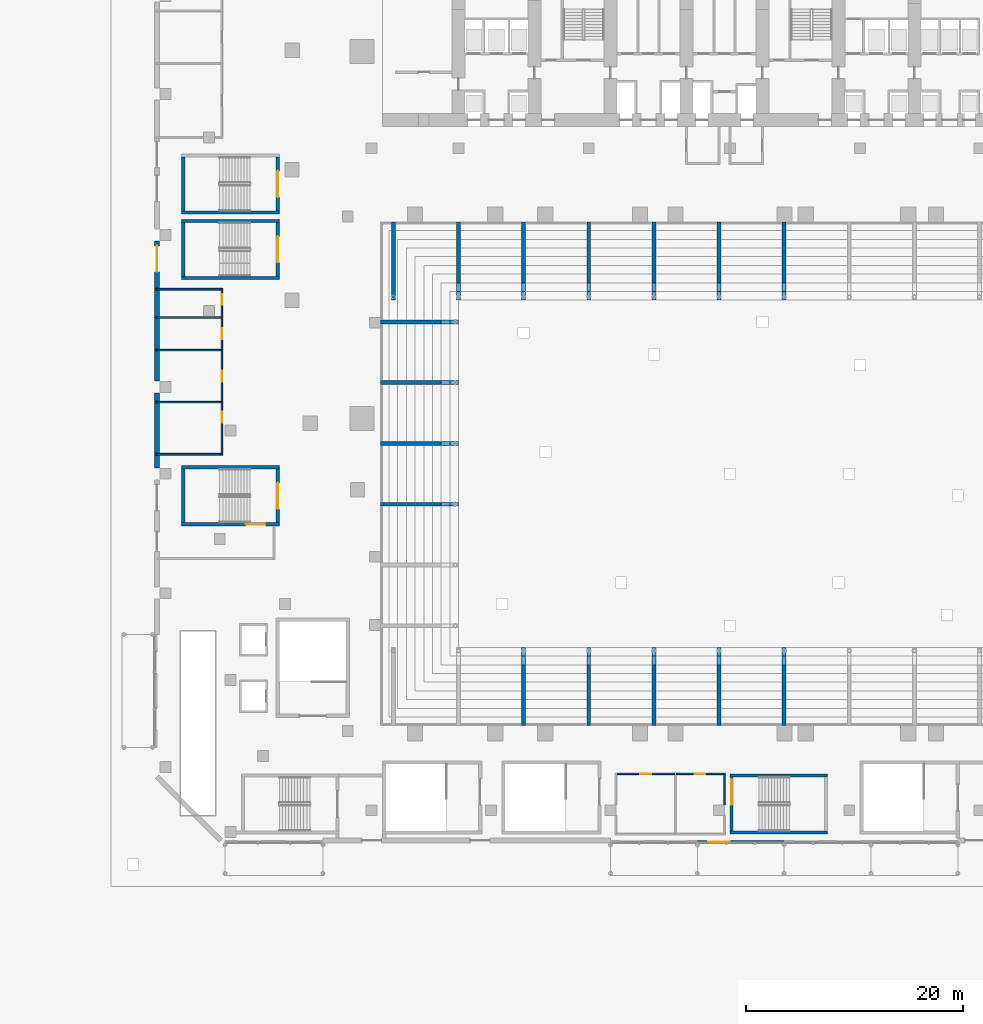
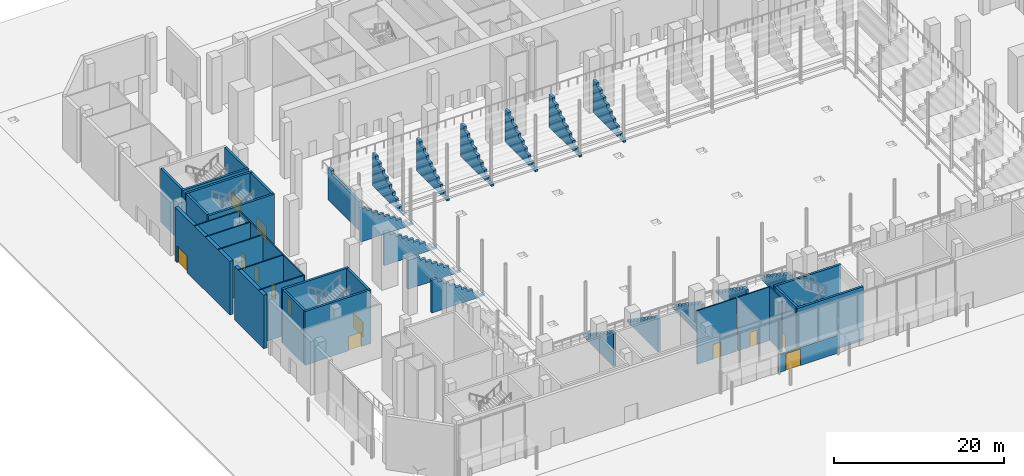
# One storey, part 21 of 41: 42 walls, 13 doors, 13 openings.
"""IFC4 building model written with IfcOpenShell, lengths in metres."""

from ifc_helpers import new_model, si_unit, direction, frame, frame_2d, origin, place, context, subcontext, project, spatial, polyline, rectangle, outline, extrude, material, layer, layer_set, type_object, element, fill, save


model = new_model("IFC4")

# Units and contexts
model_context = context("Model", 3, precision=1e-05, world=origin(), true_north=direction((0.0, 1.0)))
body_context = subcontext(model_context, "Body", "Model", "MODEL_VIEW")
ifc_project = project(units=[si_unit("LENGTHUNIT", "METRE"), si_unit("AREAUNIT", "SQUARE_METRE"), si_unit("VOLUMEUNIT", "CUBIC_METRE"), si_unit("PLANEANGLEUNIT", "RADIAN"), si_unit("MASSUNIT", "GRAM", prefix="KILO")], contexts=[model_context])

# Site, building, storey
site_placement = place(None, origin())
site = spatial("IfcSite", under=ifc_project, at=site_placement, CompositionType="ELEMENT")
building_placement = place(site_placement, origin())
building = spatial("IfcBuilding", under=site, at=building_placement, Name="Wharfspan Tower", CompositionType="ELEMENT")
storey_placement = place(building_placement, origin())
storey = spatial("IfcBuildingStorey", under=building, at=storey_placement, Name="L00", CompositionType="ELEMENT", Elevation=0.0)

# Wall, opening, door
ifc_material_1 = material(Name="Glass fibre reinforced concrete C40/50", Category="concrete")
ifc_layer_1 = layer(ifc_material_1, 0.199951)
ifc_layer_set_1 = layer_set([ifc_layer_1], Name="Glass fibre reinforced concrete C40/50")
wall_type_1 = type_object("IfcWallType", Name="ENTRANCE INFILL WALL 200", PredefinedType="SOLIDWALL", material=ifc_layer_set_1)
wall_1_placement = place(storey_placement, frame((38.0, -31.899902, 0.0), z_axis=(0.0, 0.0, 1.0), x_axis=(1.0, 0.0, 0.0)))
wall_1 = element("IfcWall", 1, at=wall_1_placement, inside=storey, type_object=wall_type_1, Name="Entrance infill wall", PredefinedType="SOLIDWALL", context=body_context, shape_type="SweptSolid", body=[
    extrude(rectangle(XDim=8.0, YDim=0.199951, at=frame_2d((4.0, 0.0))), origin(), (0.0, 0.0, 1.0), 2.600098),
])
opening_1_placement = place(wall_1_placement, frame((1.0, 0.0, 0.0)))
opening_1 = element("IfcOpeningElement", 2, at=opening_1_placement, cuts=wall_1, Name="Opening ED1", PredefinedType="OPENING", context=body_context, shape_type="SweptSolid", body=[
    extrude(rectangle(XDim=2.0, YDim=2.399902, at=frame_2d((1.0, 1.199951))), frame((0.0, 0.109863, 0.0), z_axis=(0.0, -1.0, 0.0), x_axis=(1.0, 0.0, 0.0)), (0.0, 0.0, 1.0), 0.219971),
])
ifc_material_2 = material(Name="Aluminium 6063-T6", Category="aluminium")
door_type_1 = type_object("IfcDoorType", Name="ENTRANCE DOOR DOUBLE 2000x2400", OperationType="DOUBLE_DOOR_DOUBLE_SWING", PredefinedType="DOOR", material=ifc_material_2)
door_1_placement = place(opening_1_placement, origin())
door_1 = element("IfcDoor", 3, at=door_1_placement, inside=storey, type_object=door_type_1, Name="Entrance door", OperationType="DOUBLE_DOOR_DOUBLE_SWING", OverallHeight=2.399902, OverallWidth=2.0, PredefinedType="DOOR", context=body_context, shape_type="SweptSolid", body=[
    extrude(rectangle(XDim=2.0, YDim=2.399902, at=frame_2d((1.0, 1.199951))), frame((0.0, 0.024902, 0.0), z_axis=(0.0, -1.0, 0.0), x_axis=(1.0, 0.0, 0.0)), (0.0, 0.0, 1.0), 0.050049),
])
fill(opening_1, door_1)

# Wall
ifc_material_3 = material(Name="Calcium silicate masonry", Category="masonry")
ifc_layer_2 = layer(ifc_material_3, 0.149902)
ifc_layer_set_2 = layer_set([ifc_layer_2], Name="Calcium silicate masonry")
wall_type_2 = type_object("IfcWallType", Name="Podium room wall 150", PredefinedType="PARTITIONING", material=ifc_layer_set_2)
wall_2_placement = place(storey_placement, frame((-11.89502, 3.800049, 0.0), z_axis=(0.0, 0.0, 1.0), x_axis=(1.0, 0.0, 0.0)))
element("IfcWall", 4, at=wall_2_placement, inside=storey, type_object=wall_type_2, Name="iw:L00:1", PredefinedType="PARTITIONING", context=body_context, shape_type="SweptSolid", body=[
    extrude(rectangle(XDim=6.02002, YDim=0.149902, at=frame_2d((3.01001, 0.0))), origin(), (0.0, 0.0, 1.0), 7.699951),
])

# Wall, openings, doors
wall_3_placement = place(storey_placement, frame((-5.800049, 3.725098, 0.0), z_axis=(0.0, 0.0, 1.0), x_axis=(0.0, 1.0, 0.0)))
wall_3 = element("IfcWall", 5, at=wall_3_placement, inside=storey, type_object=wall_type_2, Name="iw:L00:2", PredefinedType="PARTITIONING", context=body_context, shape_type="SweptSolid", body=[
    extrude(rectangle(XDim=15.349854, YDim=0.149902, at=frame_2d((7.674805, 0.0))), origin(), (0.0, 0.0, 1.0), 7.699951),
])
opening_2_placement = place(wall_3_placement, frame((2.995117, 0.0, 0.0)))
opening_2 = element("IfcOpeningElement", 6, at=opening_2_placement, cuts=wall_3, Name="Opening PD00.1", PredefinedType="OPENING", context=body_context, shape_type="SweptSolid", body=[
    extrude(rectangle(XDim=1.0, YDim=2.100098, at=frame_2d((0.5, 1.050049))), frame((0.0, 0.084961, 0.0), z_axis=(0.0, -1.0, 0.0), x_axis=(1.0, 0.0, 0.0)), (0.0, 0.0, 1.0), 0.169922),
])
opening_3_placement = place(wall_3_placement, frame((6.774902, 0.0, 0.0)))
opening_3 = element("IfcOpeningElement", 7, at=opening_3_placement, cuts=wall_3, Name="Opening PD00.2", PredefinedType="OPENING", context=body_context, shape_type="SweptSolid", body=[
    extrude(rectangle(XDim=1.0, YDim=2.100098, at=frame_2d((0.5, 1.050049))), frame((0.0, 0.084961, 0.0), z_axis=(0.0, -1.0, 0.0), x_axis=(1.0, 0.0, 0.0)), (0.0, 0.0, 1.0), 0.169922),
])
opening_4_placement = place(wall_3_placement, frame((10.675049, 0.0, 0.0)))
opening_4 = element("IfcOpeningElement", 8, at=opening_4_placement, cuts=wall_3, Name="Opening PD00.3", PredefinedType="OPENING", context=body_context, shape_type="SweptSolid", body=[
    extrude(rectangle(XDim=1.0, YDim=2.100098, at=frame_2d((0.5, 1.050049))), frame((0.0, 0.084961, 0.0), z_axis=(0.0, -1.0, 0.0), x_axis=(1.0, 0.0, 0.0)), (0.0, 0.0, 1.0), 0.169922),
])
opening_5_placement = place(wall_3_placement, frame((13.834961, 0.0, 0.0)))
opening_5 = element("IfcOpeningElement", 9, at=opening_5_placement, cuts=wall_3, Name="Opening PD00.4", PredefinedType="OPENING", context=body_context, shape_type="SweptSolid", body=[
    extrude(rectangle(XDim=1.0, YDim=2.100098, at=frame_2d((0.5, 1.050049))), frame((0.0, 0.084961, 0.0), z_axis=(0.0, -1.0, 0.0), x_axis=(1.0, 0.0, 0.0)), (0.0, 0.0, 1.0), 0.169922),
])
ifc_material_4 = material(Name="Steel door leaf", Category="steel")
door_type_2 = type_object("IfcDoorType", Name="Podium room door 1000x2100", OperationType="SINGLE_SWING_LEFT", PredefinedType="DOOR", material=ifc_material_4)
door_2_placement = place(opening_2_placement, origin())
door_2 = element("IfcDoor", 10, at=door_2_placement, inside=storey, type_object=door_type_2, Name="id:L00:1", OperationType="SINGLE_SWING_RIGHT", OverallHeight=2.100098, OverallWidth=1.0, PredefinedType="DOOR", context=body_context, shape_type="SweptSolid", body=[
    extrude(rectangle(XDim=1.0, YDim=2.100098, at=frame_2d((0.5, 1.050049))), frame((0.0, 0.024902, 0.0), z_axis=(0.0, -1.0, 0.0), x_axis=(1.0, 0.0, 0.0)), (0.0, 0.0, 1.0), 0.050049),
])
fill(opening_2, door_2)
door_3_placement = place(opening_3_placement, origin())
door_3 = element("IfcDoor", 11, at=door_3_placement, inside=storey, type_object=door_type_2, Name="id:L00:2", OperationType="SINGLE_SWING_LEFT", OverallHeight=2.100098, OverallWidth=1.0, PredefinedType="DOOR", context=body_context, shape_type="SweptSolid", body=[
    extrude(rectangle(XDim=1.0, YDim=2.100098, at=frame_2d((0.5, 1.050049))), frame((0.0, 0.024902, 0.0), z_axis=(0.0, -1.0, 0.0), x_axis=(1.0, 0.0, 0.0)), (0.0, 0.0, 1.0), 0.050049),
])
fill(opening_3, door_3)
door_4_placement = place(opening_4_placement, origin())
door_4 = element("IfcDoor", 12, at=door_4_placement, inside=storey, type_object=door_type_2, Name="id:L00:3", OperationType="SINGLE_SWING_RIGHT", OverallHeight=2.100098, OverallWidth=1.0, PredefinedType="DOOR", context=body_context, shape_type="SweptSolid", body=[
    extrude(rectangle(XDim=1.0, YDim=2.100098, at=frame_2d((0.5, 1.050049))), frame((0.0, 0.024902, 0.0), z_axis=(0.0, -1.0, 0.0), x_axis=(1.0, 0.0, 0.0)), (0.0, 0.0, 1.0), 0.050049),
])
fill(opening_4, door_4)
door_5_placement = place(opening_5_placement, origin())
door_5 = element("IfcDoor", 13, at=door_5_placement, inside=storey, type_object=door_type_2, Name="id:L00:4", OperationType="SINGLE_SWING_LEFT", OverallHeight=2.100098, OverallWidth=1.0, PredefinedType="DOOR", context=body_context, shape_type="SweptSolid", body=[
    extrude(rectangle(XDim=1.0, YDim=2.100098, at=frame_2d((0.5, 1.050049))), frame((0.0, 0.024902, 0.0), z_axis=(0.0, -1.0, 0.0), x_axis=(1.0, 0.0, 0.0)), (0.0, 0.0, 1.0), 0.050049),
])
fill(opening_5, door_5)

# Walls
for number, where, z_axis, x_axis, name in (
    (14, (-11.89502, 8.600098, 0.0), (0.0, 0.0, 1.0), (1.0, 0.0, 0.0), "iw:L00:4"),
    (15, (-11.89502, 13.399902, 0.0), (0.0, 0.0, 1.0), (1.0, 0.0, 0.0), "iw:L00:5"),
    (16, (-11.89502, 16.399902, 0.0), (0.0, 0.0, 1.0), (1.0, 0.0, 0.0), "iw:L00:6"),
    (17, (-11.89502, 19.0, 0.0), (0.0, 0.0, 1.0), (1.0, 0.0, 0.0), "iw:L00:7"),
):
    element("IfcWall", number, at=place(storey_placement, frame(where, z_axis=z_axis, x_axis=x_axis)), inside=storey, type_object=wall_type_2, Name=name, PredefinedType="PARTITIONING", context=body_context, shape_type="SweptSolid", body=[
        extrude(rectangle(XDim=6.02002, YDim=0.149902, at=frame_2d((3.01001, 0.0))), origin(), (0.0, 0.0, 1.0), 7.699951),
    ])

# Wall, opening, door
wall_4_placement = place(storey_placement, frame((30.574951, -25.649902, 0.0), z_axis=(0.0, 0.0, 1.0), x_axis=(1.0, 0.0, 0.0)))
wall_4 = element("IfcWall", 18, at=wall_4_placement, inside=storey, type_object=wall_type_2, Name="iw:L00:34", PredefinedType="PARTITIONING", context=body_context, shape_type="SweptSolid", body=[
    extrude(rectangle(XDim=5.350098, YDim=0.149902, at=frame_2d((2.675049, 0.0))), origin(), (0.0, 0.0, 1.0), 7.699951),
])
opening_6_placement = place(wall_4_placement, frame((2.175049, 0.0, 0.0)))
opening_6 = element("IfcOpeningElement", 19, at=opening_6_placement, cuts=wall_4, Name="Opening PD00.14", PredefinedType="OPENING", context=body_context, shape_type="SweptSolid", body=[
    extrude(rectangle(XDim=1.0, YDim=2.100098, at=frame_2d((0.5, 1.050049))), frame((0.0, 0.084961, 0.0), z_axis=(0.0, -1.0, 0.0), x_axis=(1.0, 0.0, 0.0)), (0.0, 0.0, 1.0), 0.169922),
])
door_6_placement = place(opening_6_placement, origin())
door_6 = element("IfcDoor", 20, at=door_6_placement, inside=storey, type_object=door_type_2, Name="id:L00:14", OperationType="SINGLE_SWING_LEFT", OverallHeight=2.100098, OverallWidth=1.0, PredefinedType="DOOR", context=body_context, shape_type="SweptSolid", body=[
    extrude(rectangle(XDim=1.0, YDim=2.100098, at=frame_2d((0.5, 1.050049))), frame((0.0, 0.024902, 0.0), z_axis=(0.0, -1.0, 0.0), x_axis=(1.0, 0.0, 0.0)), (0.0, 0.0, 1.0), 0.050049),
])
fill(opening_6, door_6)

wall_5_placement = place(storey_placement, frame((36.074951, -25.649902, 0.0), z_axis=(0.0, 0.0, 1.0), x_axis=(1.0, 0.0, 0.0)))
wall_5 = element("IfcWall", 21, at=wall_5_placement, inside=storey, type_object=wall_type_2, Name="iw:L00:35", PredefinedType="PARTITIONING", context=body_context, shape_type="SweptSolid", body=[
    extrude(rectangle(XDim=4.350098, YDim=0.149902, at=frame_2d((2.175049, 0.0))), origin(), (0.0, 0.0, 1.0), 7.699951),
])
opening_7_placement = place(wall_5_placement, frame((1.675049, 0.0, 0.0)))
opening_7 = element("IfcOpeningElement", 22, at=opening_7_placement, cuts=wall_5, Name="Opening PD00.15", PredefinedType="OPENING", context=body_context, shape_type="SweptSolid", body=[
    extrude(rectangle(XDim=1.0, YDim=2.100098, at=frame_2d((0.5, 1.050049))), frame((0.0, 0.084961, 0.0), z_axis=(0.0, -1.0, 0.0), x_axis=(1.0, 0.0, 0.0)), (0.0, 0.0, 1.0), 0.169922),
])
door_7_placement = place(opening_7_placement, origin())
door_7 = element("IfcDoor", 23, at=door_7_placement, inside=storey, type_object=door_type_2, Name="id:L00:15", OperationType="SINGLE_SWING_RIGHT", OverallHeight=2.100098, OverallWidth=1.0, PredefinedType="DOOR", context=body_context, shape_type="SweptSolid", body=[
    extrude(rectangle(XDim=1.0, YDim=2.100098, at=frame_2d((0.5, 1.050049))), frame((0.0, 0.024902, 0.0), z_axis=(0.0, -1.0, 0.0), x_axis=(1.0, 0.0, 0.0)), (0.0, 0.0, 1.0), 0.050049),
])
fill(opening_7, door_7)

# Walls
wall_6_placement = place(storey_placement, frame((40.5, -28.48999, 0.0), z_axis=(0.0, 0.0, 1.0), x_axis=(0.0, 1.0, 0.0)))
element("IfcWall", 24, at=wall_6_placement, inside=storey, type_object=wall_type_2, Name="iw:L00:39", PredefinedType="PARTITIONING", context=body_context, shape_type="SweptSolid", body=[
    extrude(rectangle(XDim=2.915039, YDim=0.149902, at=frame_2d((1.45752, 0.0))), origin(), (0.0, 0.0, 1.0), 7.699951),
])
ifc_material_5 = material(Name="Concrete C40/50", Category="concrete")
ifc_layer_3 = layer(ifc_material_5, 0.300049)
ifc_layer_set_3 = layer_set([ifc_layer_3], Name="Concrete C40/50")
wall_type_3 = type_object("IfcWallType", Name="Podium stair core wall 300", PredefinedType="SHEAR", material=ifc_layer_set_3)
for number, where, z_axis, x_axis, name in (
    (25, (41.0, -31.050049, 0.0), (0.0, 0.0, 1.0), (1.0, 0.0, 0.0), "iw:L00:AS5S"),
    (26, (41.0, -25.800049, 0.0), (0.0, 0.0, 1.0), (1.0, 0.0, 0.0), "iw:L00:AS5N"),
):
    element("IfcWall", number, at=place(storey_placement, frame(where, z_axis=z_axis, x_axis=x_axis)), inside=storey, type_object=wall_type_3, Name=name, PredefinedType="SHEAR", context=body_context, shape_type="SweptSolid", body=[
        extrude(rectangle(XDim=9.0, YDim=0.300049, at=frame_2d((4.5, 0.0))), origin(), (0.0, 0.0, 1.0), 7.699951),
    ])

# Wall, opening, door
wall_7_placement = place(storey_placement, frame((41.149902, -30.899902, 0.0), z_axis=(0.0, 0.0, 1.0), x_axis=(0.0, 1.0, 0.0)))
wall_7 = element("IfcWall", 27, at=wall_7_placement, inside=storey, type_object=wall_type_3, Name="iw:L00:AS5W", PredefinedType="SHEAR", context=body_context, shape_type="SweptSolid", body=[
    extrude(rectangle(XDim=4.949951, YDim=0.300049, at=frame_2d((2.475098, 0.0))), origin(), (0.0, 0.0, 1.0), 7.699951),
])
opening_8_placement = place(wall_7_placement, frame((2.396973, 0.0, 0.0)))
opening_8 = element("IfcOpeningElement", 28, at=opening_8_placement, cuts=wall_7, Name="Opening SDAS5.L00", PredefinedType="OPENING", context=body_context, shape_type="SweptSolid", body=[
    extrude(rectangle(XDim=2.399902, YDim=2.100098, at=frame_2d((1.199951, 1.050049))), frame((0.0, 0.159912, 0.0), z_axis=(0.0, -1.0, 0.0), x_axis=(1.0, 0.0, 0.0)), (0.0, 0.0, 1.0), 0.320068),
])
door_type_3 = type_object("IfcDoorType", Name="Podium stair door 2400x2100", OperationType="DOUBLE_DOOR_SINGLE_SWING", PredefinedType="DOOR", material=ifc_material_4)
door_8_placement = place(opening_8_placement, origin())
door_8 = element("IfcDoor", 29, at=door_8_placement, inside=storey, type_object=door_type_3, Name="id:L00:AS5", OperationType="DOUBLE_DOOR_SINGLE_SWING", OverallHeight=2.100098, OverallWidth=2.399902, PredefinedType="DOOR", context=body_context, shape_type="SweptSolid", body=[
    extrude(rectangle(XDim=2.399902, YDim=2.100098, at=frame_2d((1.199951, 1.050049))), frame((0.0, 0.024902, 0.0), z_axis=(0.0, -1.0, 0.0), x_axis=(1.0, 0.0, 0.0)), (0.0, 0.0, 1.0), 0.050049),
])
fill(opening_8, door_8)

wall_8_placement = place(storey_placement, frame((-9.5, -2.649902, 0.0), z_axis=(0.0, 0.0, 1.0), x_axis=(1.0, 0.0, 0.0)))
wall_8 = element("IfcWall", 30, at=wall_8_placement, inside=storey, type_object=wall_type_3, Name="iw:L00:AS7S", PredefinedType="SHEAR", context=body_context, shape_type="SweptSolid", body=[
    extrude(rectangle(XDim=9.0, YDim=0.300049, at=frame_2d((4.5, 0.0))), origin(), (0.0, 0.0, 1.0), 7.699951),
])
opening_9_placement = place(wall_8_placement, frame((5.899902, 0.0, 0.0)))
opening_9 = element("IfcOpeningElement", 31, at=opening_9_placement, cuts=wall_8, Name="Opening SDAS7B.L00", PredefinedType="OPENING", context=body_context, shape_type="SweptSolid", body=[
    extrude(rectangle(XDim=1.800049, YDim=2.100098, at=frame_2d((0.899902, 1.050049))), frame((0.0, 0.159912, 0.0), z_axis=(0.0, -1.0, 0.0), x_axis=(1.0, 0.0, 0.0)), (0.0, 0.0, 1.0), 0.320068),
])
door_type_4 = type_object("IfcDoorType", Name="Podium double door 1800x2100", OperationType="DOUBLE_DOOR_SINGLE_SWING", PredefinedType="DOOR", material=ifc_material_4)
door_9_placement = place(opening_9_placement, origin())
door_9 = element("IfcDoor", 32, at=door_9_placement, inside=storey, type_object=door_type_4, Name="id:L00:AS7B", OperationType="DOUBLE_DOOR_SINGLE_SWING", OverallHeight=2.100098, OverallWidth=1.800049, PredefinedType="DOOR", context=body_context, shape_type="SweptSolid", body=[
    extrude(rectangle(XDim=1.800049, YDim=2.100098, at=frame_2d((0.899902, 1.050049))), frame((0.0, 0.024902, 0.0), z_axis=(0.0, -1.0, 0.0), x_axis=(1.0, 0.0, 0.0)), (0.0, 0.0, 1.0), 0.050049),
])
fill(opening_9, door_9)

# Walls
wall_9_placement = place(storey_placement, frame((-9.5, 2.600098, 0.0), z_axis=(0.0, 0.0, 1.0), x_axis=(1.0, 0.0, 0.0)))
element("IfcWall", 33, at=wall_9_placement, inside=storey, type_object=wall_type_3, Name="iw:L00:AS7N", PredefinedType="SHEAR", context=body_context, shape_type="SweptSolid", body=[
    extrude(rectangle(XDim=9.0, YDim=0.300049, at=frame_2d((4.5, 0.0))), origin(), (0.0, 0.0, 1.0), 7.699951),
])
wall_10_placement = place(storey_placement, frame((-9.350098, -2.5, 0.0), z_axis=(0.0, 0.0, 1.0), x_axis=(0.0, 1.0, 0.0)))
element("IfcWall", 34, at=wall_10_placement, inside=storey, type_object=wall_type_3, Name="iw:L00:AS7W", PredefinedType="SHEAR", context=body_context, shape_type="SweptSolid", body=[
    extrude(rectangle(XDim=4.949951, YDim=0.300049, at=frame_2d((2.475098, 0.0))), origin(), (0.0, 0.0, 1.0), 7.699951),
])

# Wall, opening, door
wall_11_placement = place(storey_placement, frame((-0.649902, -2.5, 0.0), z_axis=(0.0, 0.0, 1.0), x_axis=(0.0, 1.0, 0.0)))
wall_11 = element("IfcWall", 35, at=wall_11_placement, inside=storey, type_object=wall_type_3, Name="iw:L00:AS7E", PredefinedType="SHEAR", context=body_context, shape_type="SweptSolid", body=[
    extrude(rectangle(XDim=4.949951, YDim=0.300049, at=frame_2d((2.475098, 0.0))), origin(), (0.0, 0.0, 1.0), 7.699951),
])
opening_10_placement = place(wall_11_placement, frame((1.274902, 0.0, 0.0)))
opening_10 = element("IfcOpeningElement", 36, at=opening_10_placement, cuts=wall_11, Name="Opening SDAS7.L00", PredefinedType="OPENING", context=body_context, shape_type="SweptSolid", body=[
    extrude(rectangle(XDim=2.399902, YDim=2.100098, at=frame_2d((1.199951, 1.050049))), frame((0.0, 0.159912, 0.0), z_axis=(0.0, -1.0, 0.0), x_axis=(1.0, 0.0, 0.0)), (0.0, 0.0, 1.0), 0.320068),
])
door_10_placement = place(opening_10_placement, origin())
door_10 = element("IfcDoor", 37, at=door_10_placement, inside=storey, type_object=door_type_3, Name="id:L00:AS7", OperationType="DOUBLE_DOOR_SINGLE_SWING", OverallHeight=2.100098, OverallWidth=2.399902, PredefinedType="DOOR", context=body_context, shape_type="SweptSolid", body=[
    extrude(rectangle(XDim=2.399902, YDim=2.100098, at=frame_2d((1.199951, 1.050049))), frame((0.0, 0.024902, 0.0), z_axis=(0.0, -1.0, 0.0), x_axis=(1.0, 0.0, 0.0)), (0.0, 0.0, 1.0), 0.050049),
])
fill(opening_10, door_10)

# Walls
for number, where, z_axis, x_axis, name in (
    (38, (-9.5, 20.050049, 0.0), (0.0, 0.0, 1.0), (1.0, 0.0, 0.0), "iw:L00:AS3S"),
    (39, (-9.5, 25.300049, 0.0), (0.0, 0.0, 1.0), (1.0, 0.0, 0.0), "iw:L00:AS3N"),
):
    element("IfcWall", number, at=place(storey_placement, frame(where, z_axis=z_axis, x_axis=x_axis)), inside=storey, type_object=wall_type_3, Name=name, PredefinedType="SHEAR", context=body_context, shape_type="SweptSolid", body=[
        extrude(rectangle(XDim=9.0, YDim=0.300049, at=frame_2d((4.5, 0.0))), origin(), (0.0, 0.0, 1.0), 7.699951),
    ])
wall_12_placement = place(storey_placement, frame((-9.350098, 20.199951, 0.0), z_axis=(0.0, 0.0, 1.0), x_axis=(0.0, 1.0, 0.0)))
element("IfcWall", 40, at=wall_12_placement, inside=storey, type_object=wall_type_3, Name="iw:L00:AS3W", PredefinedType="SHEAR", context=body_context, shape_type="SweptSolid", body=[
    extrude(rectangle(XDim=4.949951, YDim=0.300049, at=frame_2d((2.475098, 0.0))), origin(), (0.0, 0.0, 1.0), 7.699951),
])

# Wall, opening, door
wall_13_placement = place(storey_placement, frame((-0.649902, 20.199951, 0.0), z_axis=(0.0, 0.0, 1.0), x_axis=(0.0, 1.0, 0.0)))
wall_13 = element("IfcWall", 41, at=wall_13_placement, inside=storey, type_object=wall_type_3, Name="iw:L00:AS3E", PredefinedType="SHEAR", context=body_context, shape_type="SweptSolid", body=[
    extrude(rectangle(XDim=4.949951, YDim=0.300049, at=frame_2d((2.475098, 0.0))), origin(), (0.0, 0.0, 1.0), 7.699951),
])
opening_11_placement = place(wall_13_placement, frame((1.274902, 0.0, 0.0)))
opening_11 = element("IfcOpeningElement", 42, at=opening_11_placement, cuts=wall_13, Name="Opening SDAS3.L00", PredefinedType="OPENING", context=body_context, shape_type="SweptSolid", body=[
    extrude(rectangle(XDim=2.399902, YDim=2.100098, at=frame_2d((1.199951, 1.050049))), frame((0.0, 0.159912, 0.0), z_axis=(0.0, -1.0, 0.0), x_axis=(1.0, 0.0, 0.0)), (0.0, 0.0, 1.0), 0.320068),
])
door_11_placement = place(opening_11_placement, origin())
door_11 = element("IfcDoor", 43, at=door_11_placement, inside=storey, type_object=door_type_3, Name="id:L00:AS3", OperationType="DOUBLE_DOOR_SINGLE_SWING", OverallHeight=2.100098, OverallWidth=2.399902, PredefinedType="DOOR", context=body_context, shape_type="SweptSolid", body=[
    extrude(rectangle(XDim=2.399902, YDim=2.100098, at=frame_2d((1.199951, 1.050049))), frame((0.0, 0.024902, 0.0), z_axis=(0.0, -1.0, 0.0), x_axis=(1.0, 0.0, 0.0)), (0.0, 0.0, 1.0), 0.050049),
])
fill(opening_11, door_11)

# Walls
wall_14_placement = place(storey_placement, frame((-9.5, 26.074951, 0.0), z_axis=(0.0, 0.0, 1.0), x_axis=(1.0, 0.0, 0.0)))
element("IfcWall", 44, at=wall_14_placement, inside=storey, type_object=wall_type_3, Name="iw:L00:PS3S", PredefinedType="SHEAR", context=body_context, shape_type="SweptSolid", body=[
    extrude(rectangle(XDim=9.0, YDim=0.300049, at=frame_2d((4.5, 0.0))), origin(), (0.0, 0.0, 1.0), 7.699951),
])
wall_15_placement = place(storey_placement, frame((-9.350098, 26.225098, 0.0), z_axis=(0.0, 0.0, 1.0), x_axis=(0.0, 1.0, 0.0)))
element("IfcWall", 45, at=wall_15_placement, inside=storey, type_object=wall_type_3, Name="iw:L00:PS3W", PredefinedType="SHEAR", context=body_context, shape_type="SweptSolid", body=[
    extrude(rectangle(XDim=4.949951, YDim=0.300049, at=frame_2d((2.475098, 0.0))), origin(), (0.0, 0.0, 1.0), 7.699951),
])

# Wall, opening, door
wall_16_placement = place(storey_placement, frame((-0.649902, 26.225098, 0.0), z_axis=(0.0, 0.0, 1.0), x_axis=(0.0, 1.0, 0.0)))
wall_16 = element("IfcWall", 46, at=wall_16_placement, inside=storey, type_object=wall_type_3, Name="iw:L00:PS3E", PredefinedType="SHEAR", context=body_context, shape_type="SweptSolid", body=[
    extrude(rectangle(XDim=4.949951, YDim=0.300049, at=frame_2d((2.475098, 0.0))), origin(), (0.0, 0.0, 1.0), 7.699951),
])
opening_12_placement = place(wall_16_placement, frame((1.274902, 0.0, 0.0)))
opening_12 = element("IfcOpeningElement", 47, at=opening_12_placement, cuts=wall_16, Name="Opening SDPS3.L00", PredefinedType="OPENING", context=body_context, shape_type="SweptSolid", body=[
    extrude(rectangle(XDim=2.399902, YDim=2.100098, at=frame_2d((1.199951, 1.050049))), frame((0.0, 0.159912, 0.0), z_axis=(0.0, -1.0, 0.0), x_axis=(1.0, 0.0, 0.0)), (0.0, 0.0, 1.0), 0.320068),
])
door_12_placement = place(opening_12_placement, origin())
door_12 = element("IfcDoor", 48, at=door_12_placement, inside=storey, type_object=door_type_3, Name="id:L00:PS3", OperationType="DOUBLE_DOOR_SINGLE_SWING", OverallHeight=2.100098, OverallWidth=2.399902, PredefinedType="DOOR", context=body_context, shape_type="SweptSolid", body=[
    extrude(rectangle(XDim=2.399902, YDim=2.100098, at=frame_2d((1.199951, 1.050049))), frame((0.0, 0.024902, 0.0), z_axis=(0.0, -1.0, 0.0), x_axis=(1.0, 0.0, 0.0)), (0.0, 0.0, 1.0), 0.050049),
])
fill(opening_12, door_12)

# Walls
ifc_material_6 = material(Name="Concrete C35/45", Category="concrete")
ifc_layer_4 = layer(ifc_material_6, 0.350098)
ifc_layer_set_4 = layer_set([ifc_layer_4], Name="Concrete C35/45")
wall_type_4 = type_object("IfcWallType", Name="Raker wall 350", PredefinedType="SHEAR", material=ifc_layer_set_4)
wall_17_placement = place(storey_placement, frame((10.0, 18.0, 0.0), z_axis=(0.0, 0.0, 1.0), x_axis=(0.0, 1.0, 0.0)))
element("IfcWall", 49, at=wall_17_placement, inside=storey, type_object=wall_type_4, Name="Raker wall", PredefinedType="SHEAR", context=body_context, shape_type="SweptSolid", body=[
    extrude(outline(polyline([(0.0, 0.0), (7.199951, 0.0), (7.199951, 4.699951), (6.399902, 4.699951), (6.399902, 4.149902), (5.600098, 4.149902), (4.800049, 4.149902), (4.0, 4.149902), (3.199951, 4.149902), (2.399902, 4.149902), (1.600098, 4.149902), (0.800049, 4.149902), (0.0, 4.149902), (0.0, 0.0)])), frame((0.0, 0.175049, 0.0), z_axis=(0.0, -1.0, 0.0), x_axis=(1.0, 0.0, 0.0)), (0.0, 0.0, 1.0), 0.350098),
])
for number, where, z_axis, x_axis, name in (
    (50, (16.0, 18.0, 0.0), (0.0, 0.0, 1.0), (0.0, 1.0, 0.0), "Raker wall"),
    (51, (22.0, -14.0, 0.0), (0.0, 0.0, 1.0), (0.0, -1.0, 0.0), "Raker wall"),
    (52, (22.0, 18.0, 0.0), (0.0, 0.0, 1.0), (0.0, 1.0, 0.0), "Raker wall"),
    (53, (28.0, -14.0, 0.0), (0.0, 0.0, 1.0), (0.0, -1.0, 0.0), "Raker wall"),
    (54, (28.0, 18.0, 0.0), (0.0, 0.0, 1.0), (0.0, 1.0, 0.0), "Raker wall"),
    (55, (34.0, -14.0, 0.0), (0.0, 0.0, 1.0), (0.0, -1.0, 0.0), "Raker wall"),
    (56, (34.0, 18.0, 0.0), (0.0, 0.0, 1.0), (0.0, 1.0, 0.0), "Raker wall"),
    (57, (40.0, -14.0, 0.0), (0.0, 0.0, 1.0), (0.0, -1.0, 0.0), "Raker wall"),
    (58, (40.0, 18.0, 0.0), (0.0, 0.0, 1.0), (0.0, 1.0, 0.0), "Raker wall"),
    (59, (46.0, -14.0, 0.0), (0.0, 0.0, 1.0), (0.0, -1.0, 0.0), "Raker wall"),
    (60, (46.0, 18.0, 0.0), (0.0, 0.0, 1.0), (0.0, 1.0, 0.0), "Raker wall"),
    (61, (16.0, -0.800049, 0.0), (0.0, 0.0, 1.0), (-1.0, 0.0, 0.0), "Raker wall"),
    (62, (16.0, 4.800049, 0.0), (0.0, 0.0, 1.0), (-1.0, 0.0, 0.0), "Raker wall"),
    (63, (16.0, 10.399902, 0.0), (0.0, 0.0, 1.0), (-1.0, 0.0, 0.0), "Raker wall"),
    (64, (16.0, 16.0, 0.0), (0.0, 0.0, 1.0), (-1.0, 0.0, 0.0), "Raker wall"),
):
    element("IfcWall", number, at=place(storey_placement, frame(where, z_axis=z_axis, x_axis=x_axis)), inside=storey, type_object=wall_type_4, Name=name, PredefinedType="SHEAR", context=body_context, shape_type="SweptSolid", body=[
        extrude(outline(polyline([(0.0, 0.0), (7.199951, 0.0), (7.199951, 4.699951), (6.399902, 4.699951), (6.399902, 4.149902), (5.600098, 4.149902), (5.600098, 3.600098), (4.800049, 3.600098), (4.800049, 3.050049), (4.0, 3.050049), (4.0, 2.5), (3.199951, 2.5), (3.199951, 1.949951), (2.399902, 1.949951), (2.399902, 1.399902), (1.600098, 1.399902), (1.600098, 0.850098), (0.800049, 0.850098), (0.800049, 0.300049), (0.0, 0.300049), (0.0, 0.0)])), frame((0.0, 0.175049, 0.0), z_axis=(0.0, -1.0, 0.0), x_axis=(1.0, 0.0, 0.0)), (0.0, 0.0, 1.0), 0.350098),
    ])

# Wall, opening, door
ifc_layer_5 = layer(ifc_material_5, 0.449951)
ifc_layer_set_5 = layer_set([ifc_layer_5], Name="Concrete C40/50")
wall_type_5 = type_object("IfcWallType", Name="WALL BOARD-MARKED CONCRETE 450", PredefinedType="SOLIDWALL", material=ifc_layer_set_5)
wall_18_placement = place(storey_placement, frame((-11.774902, 23.449951, 0.0), z_axis=(0.0, 0.0, 1.0), x_axis=(0.0, -1.0, 0.0)))
wall_18 = element("IfcWall", 65, at=wall_18_placement, inside=storey, type_object=wall_type_5, Name="Podium wall PF12", PredefinedType="SOLIDWALL", context=body_context, shape_type="SweptSolid", body=[
    extrude(rectangle(XDim=12.899902, YDim=0.449951, at=frame_2d((6.449951, 0.0))), origin(), (0.0, 0.0, 1.0), 7.699951),
])
opening_13_placement = place(wall_18_placement, frame((0.449951, 0.0, 0.0)))
opening_13 = element("IfcOpeningElement", 66, at=opening_13_placement, cuts=wall_18, Name="Opening ED4", PredefinedType="OPENING", context=body_context, shape_type="SweptSolid", body=[
    extrude(rectangle(XDim=2.399902, YDim=2.399902, at=frame_2d((1.199951, 1.199951))), frame((0.0, 0.234863, 0.0), z_axis=(0.0, -1.0, 0.0), x_axis=(1.0, 0.0, 0.0)), (0.0, 0.0, 1.0), 0.469971),
])
ifc_material_7 = material(Name="Steel S355J2", Category="steel")
door_type_5 = type_object("IfcDoorType", Name="EXIT DOOR DOUBLE 2400x2400", OperationType="DOUBLE_DOOR_DOUBLE_SWING", PredefinedType="DOOR", material=ifc_material_7)
door_13_placement = place(opening_13_placement, origin())
door_13 = element("IfcDoor", 67, at=door_13_placement, inside=storey, type_object=door_type_5, Name="Exit door", OperationType="DOUBLE_DOOR_DOUBLE_SWING", OverallHeight=2.399902, OverallWidth=2.399902, PredefinedType="DOOR", context=body_context, shape_type="SweptSolid", body=[
    extrude(rectangle(XDim=2.399902, YDim=2.399902, at=frame_2d((1.199951, 1.199951))), frame((0.0, 0.024902, 0.0), z_axis=(0.0, -1.0, 0.0), x_axis=(1.0, 0.0, 0.0)), (0.0, 0.0, 1.0), 0.050049),
])
fill(opening_13, door_13)

# Wall
wall_19_placement = place(storey_placement, frame((-11.774902, 9.449951, 0.0), z_axis=(0.0, 0.0, 1.0), x_axis=(0.0, -1.0, 0.0)))
element("IfcWall", 68, at=wall_19_placement, inside=storey, type_object=wall_type_5, Name="Podium wall PF12", PredefinedType="SOLIDWALL", context=body_context, shape_type="SweptSolid", body=[
    extrude(rectangle(XDim=6.899902, YDim=0.449951, at=frame_2d((3.449951, 0.0))), origin(), (0.0, 0.0, 1.0), 7.699951),
])

save(model, "model.ifc")
